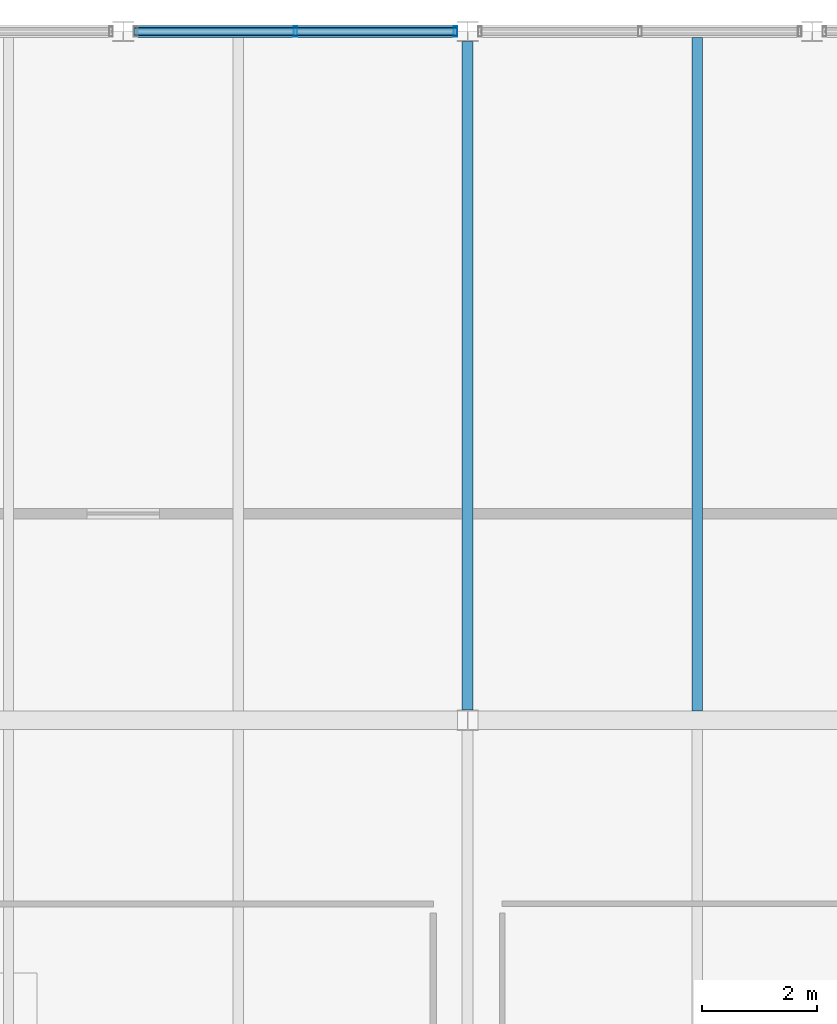
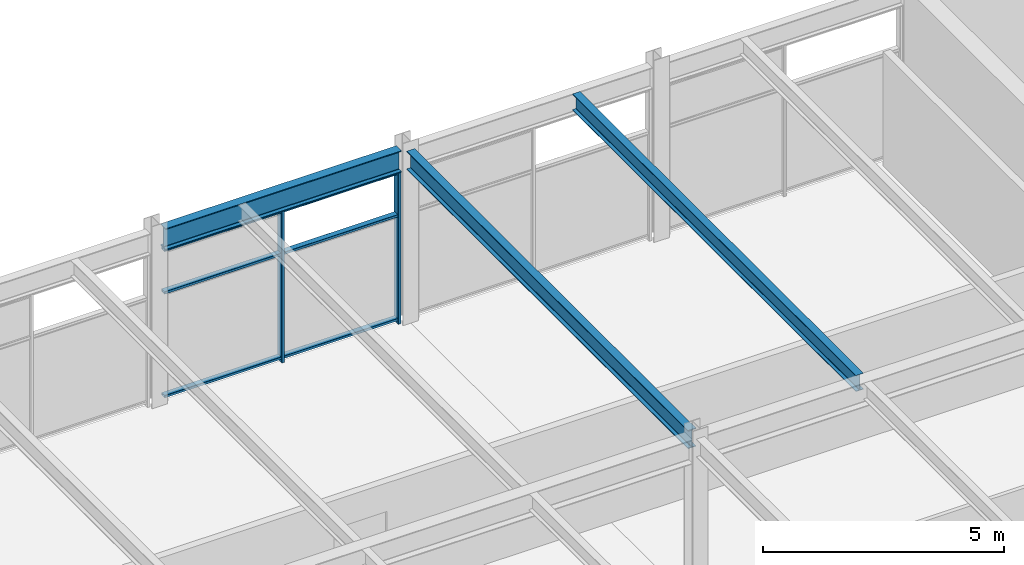
# One storey, part 21 of 28: 5 members, 3 beams, 1 element without a shape of its own.
"""IFC4 building model written with IfcOpenShell, lengths in metres."""

from ifc_helpers import new_model, si_unit, direction, frame, origin, origin_2d, place, context, subcontext, project, spatial, hollow_rectangle, i_section, extrude, material, material_profile, profile_set, type_object, element, aggregate, save


model = new_model("IFC4")

# Units and contexts
model_context = context("Model", 3, precision=1e-05, world=origin(), true_north=direction((0.0, 1.0)))
body_context = subcontext(model_context, "Body", "Model", "MODEL_VIEW")
ifc_project = project(units=[si_unit("LENGTHUNIT", "METRE"), si_unit("AREAUNIT", "SQUARE_METRE"), si_unit("VOLUMEUNIT", "CUBIC_METRE"), si_unit("PLANEANGLEUNIT", "RADIAN"), si_unit("MASSUNIT", "GRAM", prefix="KILO")], contexts=[model_context])

# Site, building, storey
site_placement = place(None, origin())
site = spatial("IfcSite", under=ifc_project, at=site_placement, CompositionType="ELEMENT")
building_placement = place(site_placement, origin())
building = spatial("IfcBuilding", under=site, at=building_placement, Name="Girod Span Mobility Hub", CompositionType="ELEMENT")
storey_placement = place(building_placement, frame((0.0, 0.0, 69.60009765625)))
storey = spatial("IfcBuildingStorey", under=building, at=storey_placement, Name="L17", CompositionType="ELEMENT", Elevation=69.60009765625)

# Beams
ifc_material_1 = material(Name="Steel A992 Grade 50", Category="steel")
ifc_material_profile_1 = material_profile(ifc_material_1, i_section(OverallWidth=0.178955078125, OverallDepth=0.409912109375, WebThickness=0.0087890625, FlangeThickness=0.014404296875, FilletRadius=0.012939453125, at=origin_2d()), Name="W16X45")
ifc_profile_set_1 = profile_set([ifc_material_profile_1], Name="Steel A992 Grade 50")
beam_type_1 = type_object("IfcBeamType", Name="BM-STL-W16X45", PredefinedType="BEAM", material=ifc_profile_set_1)
beam_1_placement = place(storey_placement, frame((100.0, 57.158935546875, 4.1748046875), z_axis=(0.0, 1.0, 0.0), x_axis=(-1.0, 0.0, 0.0)))
element("IfcBeam", 1, at=beam_1_placement, inside=storey, type_object=beam_type_1, Name="Composite Floorbeam 9/E-1 L17", PredefinedType="BEAM", context=body_context, shape_type="SweptSolid", body=[
    extrude(i_section(OverallWidth=0.178955078125, OverallDepth=0.409912109375, WebThickness=0.0087890625, FlangeThickness=0.014404296875, FilletRadius=0.012939453125, at=origin_2d()), origin(), (0.0, 0.0, 1.0), 11.738037109375),
])
ifc_material_2 = material(Name="Steel A992 Grade 50", Category="steel")
ifc_material_profile_2 = material_profile(ifc_material_2, i_section(OverallWidth=0.19189453125, OverallDepth=0.462890625, WebThickness=0.010498046875, FlangeThickness=0.017578125, FilletRadius=0.013916015625, at=origin_2d()), Name="W18X60")
ifc_profile_set_2 = profile_set([ifc_material_profile_2], Name="Steel A992 Grade 50")
beam_type_2 = type_object("IfcBeamType", Name="BM-STL-W18X60", PredefinedType="BEAM", material=ifc_profile_set_2)
beam_2_placement = place(storey_placement, frame((96.0, 57.175048828125, 4.1484375), z_axis=(0.0, 1.0, 0.0), x_axis=(-1.0, 0.0, 0.0)))
element("IfcBeam", 2, at=beam_2_placement, inside=storey, type_object=beam_type_2, Name="Tie Girder 9/E-F L17", PredefinedType="BEAM", context=body_context, shape_type="SweptSolid", body=[
    extrude(i_section(OverallWidth=0.19189453125, OverallDepth=0.462890625, WebThickness=0.010498046875, FlangeThickness=0.017578125, FilletRadius=0.013916015625, at=origin_2d()), origin(), (0.0, 0.0, 1.0), 11.64990234375),
])
ifc_material_3 = material(Name="Steel A992 Grade 50", Category="steel")
ifc_material_profile_3 = material_profile(ifc_material_3, i_section(OverallWidth=0.2119140625, OverallDepth=0.5439453125, WebThickness=0.01318359375, FlangeThickness=0.021240234375, FilletRadius=0.014892578125, at=origin_2d()), Name="W21X83")
ifc_profile_set_3 = profile_set([ifc_material_profile_3], Name="Steel A992 Grade 50")
beam_type_3 = type_object("IfcBeamType", Name="BM-STL-W21X83", PredefinedType="SPANDREL", material=ifc_profile_set_3)
beam_3_placement = place(storey_placement, frame((90.181396484375, 69.0, 4.10791015625), z_axis=(1.0, 0.0, 0.0), x_axis=(0.0, 1.0, 0.0)))
element("IfcBeam", 3, at=beam_3_placement, inside=storey, type_object=beam_type_3, Name="Spandrel Beam 8-9/F-E L17", PredefinedType="SPANDREL", context=body_context, shape_type="SweptSolid", body=[
    extrude(i_section(OverallWidth=0.2119140625, OverallDepth=0.5439453125, WebThickness=0.01318359375, FlangeThickness=0.021240234375, FilletRadius=0.014892578125, at=origin_2d()), origin(), (0.0, 0.0, 1.0), 5.63720703125),
])

# Curtain wall, members
ifc_material_4 = material(Name="Thermally Broken Anodised Aluminium", Category="aluminium")
curtain_wall_type = type_object("IfcCurtainWallType", Name="CW-564X384", PredefinedType="USERDEFINED", material=ifc_material_4)
curtain_wall_placement = place(storey_placement, origin())
curtain_wall = element("IfcCurtainWall", 4, at=curtain_wall_placement, inside=storey, type_object=curtain_wall_type, Name="Unitised Curtain Wall CW-L17-N08E L17", ObjectType="UNITISED CURTAIN WALL", PredefinedType="USERDEFINED")
ifc_material_5 = material(Name="Thermally Broken Anodised Aluminium", Category="aluminium")
ifc_material_profile_4 = material_profile(ifc_material_5, hollow_rectangle(XDim=0.179931640625, YDim=0.06494140625, WallThickness=0.00390625, InnerFilletRadius=0.00390625, OuterFilletRadius=0.008056640625, at=origin_2d()), Name="CW-ML-65X180")
ifc_profile_set_4 = profile_set([ifc_material_profile_4], Name="Thermally Broken Anodised Aluminium")
member_type_1 = type_object("IfcMemberType", Name="CWM-ML-2", PredefinedType="MULLION", material=ifc_profile_set_4)
member_1_placement = place(storey_placement, frame((93.0, 69.0, 0.0), z_axis=(0.0, 0.0, 1.0), x_axis=(0.0, 1.0, 0.0)))
member_1 = element("IfcMember", 5, at=member_1_placement, type_object=member_type_1, Name="Curtain Wall Mullion CW-L17-N08E-M1", PredefinedType="MULLION", context=body_context, shape_type="SweptSolid", body=[
    extrude(hollow_rectangle(XDim=0.179931640625, YDim=0.06494140625, WallThickness=0.00390625, InnerFilletRadius=0.00390625, OuterFilletRadius=0.008056640625, at=origin_2d()), origin(), (0.0, 0.0, 1.0), 3.8359375),
])
member_2_placement = place(storey_placement, frame((95.785400390625, 69.0, 0.0), z_axis=(0.0, 0.0, 1.0), x_axis=(0.0, 1.0, 0.0)))
member_2 = element("IfcMember", 6, at=member_2_placement, type_object=member_type_1, Name="Curtain Wall Mullion CW-L17-N08E-M2", PredefinedType="MULLION", context=body_context, shape_type="SweptSolid", body=[
    extrude(hollow_rectangle(XDim=0.179931640625, YDim=0.06494140625, WallThickness=0.00390625, InnerFilletRadius=0.00390625, OuterFilletRadius=0.008056640625, at=origin_2d()), origin(), (0.0, 0.0, 1.0), 3.8359375),
])
ifc_material_6 = material(Name="Thermally Broken Anodised Aluminium", Category="aluminium")
ifc_material_profile_5 = material_profile(ifc_material_6, hollow_rectangle(XDim=0.135009765625, YDim=0.06494140625, WallThickness=0.00390625, InnerFilletRadius=0.00390625, OuterFilletRadius=0.008056640625, at=origin_2d()), Name="CW-TR-65X135")
ifc_profile_set_5 = profile_set([ifc_material_profile_5], Name="Thermally Broken Anodised Aluminium")
member_type_2 = type_object("IfcMemberType", Name="CWM-TR-2", PredefinedType="USERDEFINED", material=ifc_profile_set_5)
member_3_placement = place(storey_placement, frame((90.1826171875, 69.0, 0.107421875), z_axis=(1.0, 0.0, 0.0), x_axis=(0.0, 1.0, 0.0)))
member_3 = element("IfcMember", 7, at=member_3_placement, type_object=member_type_2, Name="Curtain Wall Transom CW-L17-N08E-T1", ObjectType="TRANSOM", PredefinedType="USERDEFINED", context=body_context, shape_type="SweptSolid", body=[
    extrude(hollow_rectangle(XDim=0.135009765625, YDim=0.06494140625, WallThickness=0.00390625, InnerFilletRadius=0.00390625, OuterFilletRadius=0.008056640625, at=origin_2d()), origin(), (0.0, 0.0, 1.0), 5.634765625),
])
member_4_placement = place(storey_placement, frame((90.1826171875, 69.0, 2.729248046875), z_axis=(1.0, 0.0, 0.0), x_axis=(0.0, 1.0, 0.0)))
member_4 = element("IfcMember", 8, at=member_4_placement, type_object=member_type_2, Name="Curtain Wall Transom CW-L17-N08E-T2", ObjectType="TRANSOM", PredefinedType="USERDEFINED", context=body_context, shape_type="SweptSolid", body=[
    extrude(hollow_rectangle(XDim=0.135009765625, YDim=0.06494140625, WallThickness=0.00390625, InnerFilletRadius=0.00390625, OuterFilletRadius=0.008056640625, at=origin_2d()), origin(), (0.0, 0.0, 1.0), 5.634765625),
])
member_5_placement = place(storey_placement, frame((90.1826171875, 69.0, 3.803466796875), z_axis=(1.0, 0.0, 0.0), x_axis=(0.0, 1.0, 0.0)))
member_5 = element("IfcMember", 9, at=member_5_placement, type_object=member_type_2, Name="Curtain Wall Transom CW-L17-N08E-T3", ObjectType="TRANSOM", PredefinedType="USERDEFINED", context=body_context, shape_type="SweptSolid", body=[
    extrude(hollow_rectangle(XDim=0.135009765625, YDim=0.06494140625, WallThickness=0.00390625, InnerFilletRadius=0.00390625, OuterFilletRadius=0.008056640625, at=origin_2d()), origin(), (0.0, 0.0, 1.0), 5.634765625),
])
aggregate(curtain_wall, [member_1, member_2, member_3, member_4, member_5])

save(model, "model.ifc")
